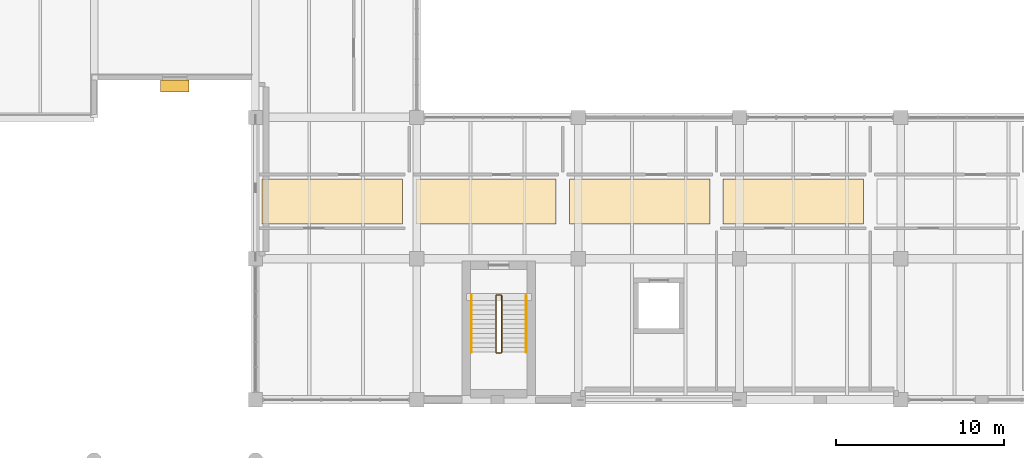
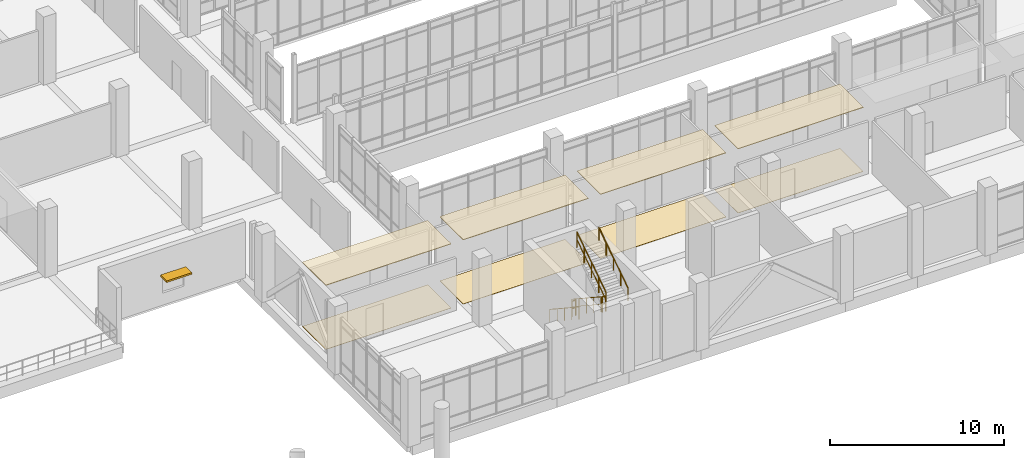
# One storey, part 144 of 152: 8 coverings, 6 railings, 1 shading device.
"""IFC4 building model written with IfcOpenShell, lengths in metres."""

from ifc_helpers import new_model, si_unit, direction, frame, origin, origin_2d, place, context, subcontext, project, spatial, polyline, rectangle, circle, outline, extrude, material, layer, layer_set, type_object, element, save


model = new_model("IFC4")

# Units and contexts
model_context = context("Model", 3, precision=1e-05, world=origin(), true_north=direction((0.0, 1.0)))
body_context = subcontext(model_context, "Body", "Model", "MODEL_VIEW")
ifc_project = project(units=[si_unit("LENGTHUNIT", "METRE"), si_unit("AREAUNIT", "SQUARE_METRE"), si_unit("VOLUMEUNIT", "CUBIC_METRE"), si_unit("PLANEANGLEUNIT", "RADIAN"), si_unit("MASSUNIT", "GRAM", prefix="KILO")], contexts=[model_context])

# Site, building, storey
site_placement = place(None, origin())
site = spatial("IfcSite", under=ifc_project, at=site_placement, CompositionType="ELEMENT")
building_placement = place(site_placement, origin())
building = spatial("IfcBuilding", under=site, at=building_placement, Name="Oolite Switchyard Hospital", CompositionType="ELEMENT")
storey_placement = place(building_placement, frame((0.0, 0.0, 5.10009765625)))
storey = spatial("IfcBuildingStorey", under=building, at=storey_placement, Name="L01", CompositionType="ELEMENT", Elevation=5.10009765625)

# Coverings
ifc_material_1 = material(Name="Hygienic washable mineral-fibre acoustic ceiling")
ifc_layer_1 = layer(ifc_material_1, 0.0400390625)
ifc_layer_set_1 = layer_set([ifc_layer_1], Name="COV-CEIL-AC60")
covering_type_1 = type_object("IfcCoveringType", Name="COV-CEIL-AC60", PredefinedType="CEILING", material=ifc_layer_set_1)
covering_1_placement = place(storey_placement, frame((0.0, 0.0, 4.5)))
element("IfcCovering", 1, at=covering_1_placement, inside=storey, type_object=covering_type_1, Name="L01 Outpatient Cardiology Corridor L01 Ceiling 1", PredefinedType="CEILING", context=body_context, shape_type="SweptSolid", body=[
    extrude(outline(polyline([(134.800048828125, 18.85009765625), (143.14306640625, 18.85009765625), (143.14306640625, 21.550048828125), (134.800048828125, 21.550048828125), (134.800048828125, 18.85009765625)])), origin(), (0.0, 0.0, 1.0), 0.039794921875),
])
covering_2_placement = place(storey_placement, frame((0.0, 0.0, 4.5)))
element("IfcCovering", 2, at=covering_2_placement, inside=storey, type_object=covering_type_1, Name="L01 Outpatient Cardiology Corridor L01 Ceiling 2", PredefinedType="CEILING", context=body_context, shape_type="SweptSolid", body=[
    extrude(outline(polyline([(143.943115234375, 18.85009765625), (152.285888671875, 18.85009765625), (152.285888671875, 21.550048828125), (143.943115234375, 21.550048828125), (143.943115234375, 18.85009765625)])), origin(), (0.0, 0.0, 1.0), 0.039794921875),
])
covering_3_placement = place(storey_placement, frame((0.0, 0.0, 4.5)))
element("IfcCovering", 3, at=covering_3_placement, inside=storey, type_object=covering_type_1, Name="L01 Outpatient Cardiology Corridor L01 Ceiling 3", PredefinedType="CEILING", context=body_context, shape_type="SweptSolid", body=[
    extrude(outline(polyline([(153.0859375, 18.85009765625), (161.428955078125, 18.85009765625), (161.428955078125, 21.550048828125), (153.0859375, 21.550048828125), (153.0859375, 18.85009765625)])), origin(), (0.0, 0.0, 1.0), 0.039794921875),
])
covering_4_placement = place(storey_placement, frame((0.0, 0.0, 4.5)))
element("IfcCovering", 4, at=covering_4_placement, inside=storey, type_object=covering_type_1, Name="L01 Outpatient Cardiology Corridor L01 Ceiling 4", PredefinedType="CEILING", context=body_context, shape_type="SweptSolid", body=[
    extrude(outline(polyline([(162.22900390625, 18.85009765625), (170.572021484375, 18.85009765625), (170.572021484375, 21.550048828125), (162.22900390625, 21.550048828125), (162.22900390625, 18.85009765625)])), origin(), (0.0, 0.0, 1.0), 0.039794921875),
])
ifc_material_2 = material(Name="Conductive homogeneous sheet vinyl flooring")
ifc_layer_2 = layer(ifc_material_2, 0.014892578125)
ifc_layer_set_2 = layer_set([ifc_layer_2], Name="COV-FLR-ESD15")
covering_type_2 = type_object("IfcCoveringType", Name="COV-FLR-ESD15", PredefinedType="FLOORING", material=ifc_layer_set_2)
covering_5_placement = place(storey_placement, origin())
element("IfcCovering", 5, at=covering_5_placement, inside=storey, type_object=covering_type_2, Name="L01 Outpatient Cardiology Corridor L01 Flooring 1", PredefinedType="FLOORING", context=body_context, shape_type="SweptSolid", body=[
    extrude(outline(polyline([(134.800048828125, 18.85009765625), (143.14306640625, 18.85009765625), (143.14306640625, 21.550048828125), (134.800048828125, 21.550048828125), (134.800048828125, 18.85009765625)])), origin(), (0.0, 0.0, 1.0), 0.014892578125),
])
covering_6_placement = place(storey_placement, origin())
element("IfcCovering", 6, at=covering_6_placement, inside=storey, type_object=covering_type_2, Name="L01 Outpatient Cardiology Corridor L01 Flooring 2", PredefinedType="FLOORING", context=body_context, shape_type="SweptSolid", body=[
    extrude(outline(polyline([(143.943115234375, 18.85009765625), (152.285888671875, 18.85009765625), (152.285888671875, 21.550048828125), (143.943115234375, 21.550048828125), (143.943115234375, 18.85009765625)])), origin(), (0.0, 0.0, 1.0), 0.014892578125),
])
covering_7_placement = place(storey_placement, origin())
element("IfcCovering", 7, at=covering_7_placement, inside=storey, type_object=covering_type_2, Name="L01 Outpatient Cardiology Corridor L01 Flooring 3", PredefinedType="FLOORING", context=body_context, shape_type="SweptSolid", body=[
    extrude(outline(polyline([(153.0859375, 18.85009765625), (161.428955078125, 18.85009765625), (161.428955078125, 21.550048828125), (153.0859375, 21.550048828125), (153.0859375, 18.85009765625)])), origin(), (0.0, 0.0, 1.0), 0.014892578125),
])
covering_8_placement = place(storey_placement, origin())
element("IfcCovering", 8, at=covering_8_placement, inside=storey, type_object=covering_type_2, Name="L01 Outpatient Cardiology Corridor L01 Flooring 4", PredefinedType="FLOORING", context=body_context, shape_type="SweptSolid", body=[
    extrude(outline(polyline([(162.22900390625, 18.85009765625), (170.572021484375, 18.85009765625), (170.572021484375, 21.550048828125), (162.22900390625, 21.550048828125), (162.22900390625, 18.85009765625)])), origin(), (0.0, 0.0, 1.0), 0.014892578125),
])

# Railings
ifc_material_3 = material(Name="Galvanized painted architectural steel handrail", Category="steel")
railing_type_1 = type_object("IfcRailingType", Name="RL-STAIR-GRD", PredefinedType="GUARDRAIL", material=ifc_material_3)
railing_1_placement = place(storey_placement, frame((148.7099609375, 14.590087890625, 0.1845703125)))
element("IfcRailing", 9, at=railing_1_placement, inside=storey, type_object=railing_type_1, Name="L01 ST-05 stair guard 1", PredefinedType="GUARDRAIL", context=body_context, shape_type="SweptSolid", body=[
    extrude(circle(Radius=0.02392578125, at=origin_2d()), frame((0.0, 0.0, 1.076171875), z_axis=(0.0, -0.834876476806, 0.550437342915), x_axis=(1.0, 0.0, 0.0)), (0.0, 0.0, 1.0), 4.024658203125),
    extrude(circle(Radius=0.015625, at=origin_2d()), frame((0.0, 0.0, 0.550048828125), z_axis=(0.0, -0.834876476806, 0.550437342915), x_axis=(1.0, 0.0, 0.0)), (0.0, 0.0, 1.0), 4.024658203125),
    extrude(circle(Radius=0.02099609375, at=origin_2d()), origin(), (0.0, 0.0, 1.0), 1.052001953125),
    extrude(circle(Radius=0.02099609375, at=origin_2d()), frame((0.0, -0.840087890625, 0.5537109375)), (0.0, 0.0, 1.0), 1.052001953125),
    extrude(circle(Radius=0.02099609375, at=origin_2d()), frame((0.0, -1.68017578125, 1.107666015625)), (0.0, 0.0, 1.0), 1.052001953125),
    extrude(circle(Radius=0.02099609375, at=origin_2d()), frame((0.0, -2.52001953125, 1.66162109375)), (0.0, 0.0, 1.0), 1.052001953125),
    extrude(circle(Radius=0.02099609375, at=origin_2d()), frame((0.0, -3.360107421875, 2.21533203125)), (0.0, 0.0, 1.0), 1.052001953125),
])
railing_2_placement = place(storey_placement, frame((148.760009765625, 11.179931640625, 2.39990234375)))
element("IfcRailing", 10, at=railing_2_placement, inside=storey, type_object=railing_type_1, Name="L01 ST-05 stair guard 2", PredefinedType="GUARDRAIL", context=body_context, shape_type="SweptSolid", body=[
    extrude(circle(Radius=0.02392578125, at=origin_2d()), frame((0.0, 0.0, 1.076171875), z_axis=(1.0, 0.0, 0.0), x_axis=(0.0, 1.0, 0.0)), (0.0, 0.0, 1.0), 0.239990234375),
    extrude(circle(Radius=0.015625, at=origin_2d()), frame((0.0, 0.0, 0.550048828125), z_axis=(1.0, 0.0, 0.0), x_axis=(0.0, 1.0, 0.0)), (0.0, 0.0, 1.0), 0.239990234375),
    extrude(circle(Radius=0.02099609375, at=origin_2d()), origin(), (0.0, 0.0, 1.0), 1.052001953125),
    extrude(circle(Radius=0.02099609375, at=origin_2d()), frame((0.239990234375, 0.0, 0.0)), (0.0, 0.0, 1.0), 1.052001953125),
])
railing_3_placement = place(storey_placement, frame((149.050048828125, 11.22998046875, 2.58447265625)))
element("IfcRailing", 11, at=railing_3_placement, inside=storey, type_object=railing_type_1, Name="L01 ST-05 stair guard 3", PredefinedType="GUARDRAIL", context=body_context, shape_type="SweptSolid", body=[
    extrude(circle(Radius=0.02392578125, at=origin_2d()), frame((0.0, 0.0, 1.076171875), z_axis=(0.0, 0.834876476806, 0.550437342915), x_axis=(-1.0, 0.0, 0.0)), (0.0, 0.0, 1.0), 4.024658203125),
    extrude(circle(Radius=0.015625, at=origin_2d()), frame((0.0, 0.0, 0.550048828125), z_axis=(0.0, 0.834876476806, 0.550437342915), x_axis=(-1.0, 0.0, 0.0)), (0.0, 0.0, 1.0), 4.024658203125),
    extrude(circle(Radius=0.02099609375, at=origin_2d()), origin(), (0.0, 0.0, 1.0), 1.052001953125),
    extrude(circle(Radius=0.02099609375, at=origin_2d()), frame((0.0, 0.840087890625, 0.5537109375)), (0.0, 0.0, 1.0), 1.052001953125),
    extrude(circle(Radius=0.02099609375, at=origin_2d()), frame((0.0, 1.68017578125, 1.107666015625)), (0.0, 0.0, 1.0), 1.052001953125),
    extrude(circle(Radius=0.02099609375, at=origin_2d()), frame((0.0, 2.52001953125, 1.66162109375)), (0.0, 0.0, 1.0), 1.052001953125),
    extrude(circle(Radius=0.02099609375, at=origin_2d()), frame((0.0, 3.360107421875, 2.21533203125)), (0.0, 0.0, 1.0), 1.052001953125),
])
railing_4_placement = place(storey_placement, frame((148.760009765625, 14.639892578125, 0.0)))
element("IfcRailing", 12, at=railing_4_placement, inside=storey, type_object=railing_type_1, Name="L01 ST-05 stair guard 4", PredefinedType="GUARDRAIL", context=body_context, shape_type="SweptSolid", body=[
    extrude(circle(Radius=0.02392578125, at=origin_2d()), frame((0.0, 0.0, 1.076171875), z_axis=(1.0, 0.0, 0.0), x_axis=(0.0, 1.0, 0.0)), (0.0, 0.0, 1.0), 0.239990234375),
    extrude(circle(Radius=0.015625, at=origin_2d()), frame((0.0, 0.0, 0.550048828125), z_axis=(1.0, 0.0, 0.0), x_axis=(0.0, 1.0, 0.0)), (0.0, 0.0, 1.0), 0.239990234375),
    extrude(circle(Radius=0.02099609375, at=origin_2d()), origin(), (0.0, 0.0, 1.0), 1.052001953125),
    extrude(circle(Radius=0.02099609375, at=origin_2d()), frame((0.239990234375, 0.0, 0.0)), (0.0, 0.0, 1.0), 1.052001953125),
])
railing_type_2 = type_object("IfcRailingType", Name="RL-STAIR-HND", PredefinedType="HANDRAIL", material=ifc_material_3)
railing_5_placement = place(storey_placement, frame((147.25, 14.590087890625, 0.1845703125)))
element("IfcRailing", 13, at=railing_5_placement, inside=storey, type_object=railing_type_2, Name="L01 ST-05 stair handrail 1", PredefinedType="HANDRAIL", context=body_context, shape_type="SweptSolid", body=[
    extrude(circle(Radius=0.02392578125, at=origin_2d()), frame((0.0, 0.0, 0.8759765625), z_axis=(0.0, -0.834876476806, 0.550437342915), x_axis=(1.0, 0.0, 0.0)), (0.0, 0.0, 1.0), 4.024658203125),
    extrude(circle(Radius=0.02099609375, at=origin_2d()), origin(), (0.0, 0.0, 1.0), 0.851806640625),
    extrude(circle(Radius=0.02099609375, at=origin_2d()), frame((0.0, -0.840087890625, 0.5537109375)), (0.0, 0.0, 1.0), 0.851806640625),
    extrude(circle(Radius=0.02099609375, at=origin_2d()), frame((0.0, -1.68017578125, 1.107666015625)), (0.0, 0.0, 1.0), 0.851806640625),
    extrude(circle(Radius=0.02099609375, at=origin_2d()), frame((0.0, -2.52001953125, 1.66162109375)), (0.0, 0.0, 1.0), 0.851806640625),
    extrude(circle(Radius=0.02099609375, at=origin_2d()), frame((0.0, -3.360107421875, 2.21533203125)), (0.0, 0.0, 1.0), 0.851806640625),
])
railing_6_placement = place(storey_placement, frame((150.510009765625, 11.22998046875, 2.58447265625)))
element("IfcRailing", 14, at=railing_6_placement, inside=storey, type_object=railing_type_2, Name="L01 ST-05 stair handrail 2", PredefinedType="HANDRAIL", context=body_context, shape_type="SweptSolid", body=[
    extrude(circle(Radius=0.02392578125, at=origin_2d()), frame((0.0, 0.0, 0.8759765625), z_axis=(0.0, 0.834876476806, 0.550437342915), x_axis=(-1.0, 0.0, 0.0)), (0.0, 0.0, 1.0), 4.024658203125),
    extrude(circle(Radius=0.02099609375, at=origin_2d()), origin(), (0.0, 0.0, 1.0), 0.851806640625),
    extrude(circle(Radius=0.02099609375, at=origin_2d()), frame((0.0, 0.840087890625, 0.5537109375)), (0.0, 0.0, 1.0), 0.851806640625),
    extrude(circle(Radius=0.02099609375, at=origin_2d()), frame((0.0, 1.68017578125, 1.107666015625)), (0.0, 0.0, 1.0), 0.851806640625),
    extrude(circle(Radius=0.02099609375, at=origin_2d()), frame((0.0, 2.52001953125, 1.66162109375)), (0.0, 0.0, 1.0), 0.851806640625),
    extrude(circle(Radius=0.02099609375, at=origin_2d()), frame((0.0, 3.360107421875, 2.21533203125)), (0.0, 0.0, 1.0), 0.851806640625),
])

# Shading device
ifc_material_4 = material(Name="Precast oolitic limestone architectural concrete C40/50", Category="masonry")
ifc_layer_3 = layer(ifc_material_4, 0.1201171875)
ifc_layer_set_3 = layer_set([ifc_layer_3], Name="SHD-BRISE-900")
shading_device_type = type_object("IfcShadingDeviceType", Name="SHD-BRISE-900", PredefinedType="AWNING", material=ifc_layer_set_3)
shading_device_placement = place(storey_placement, frame((129.60009765625, 27.070068359375, 2.059814453125), z_axis=(0.0, 0.0, 1.0), x_axis=(1.0, 0.0, 0.0)))
element("IfcShadingDevice", 15, at=shading_device_placement, inside=storey, type_object=shading_device_type, Name="L01 Classical Brise-Soleil Sunshade 18", PredefinedType="AWNING", context=body_context, shape_type="SweptSolid", body=[
    extrude(rectangle(XDim=1.68994140625, YDim=0.699951171875, at=origin_2d()), origin(), (0.0, 0.0, 1.0), 0.1201171875),
])

save(model, "model.ifc")
